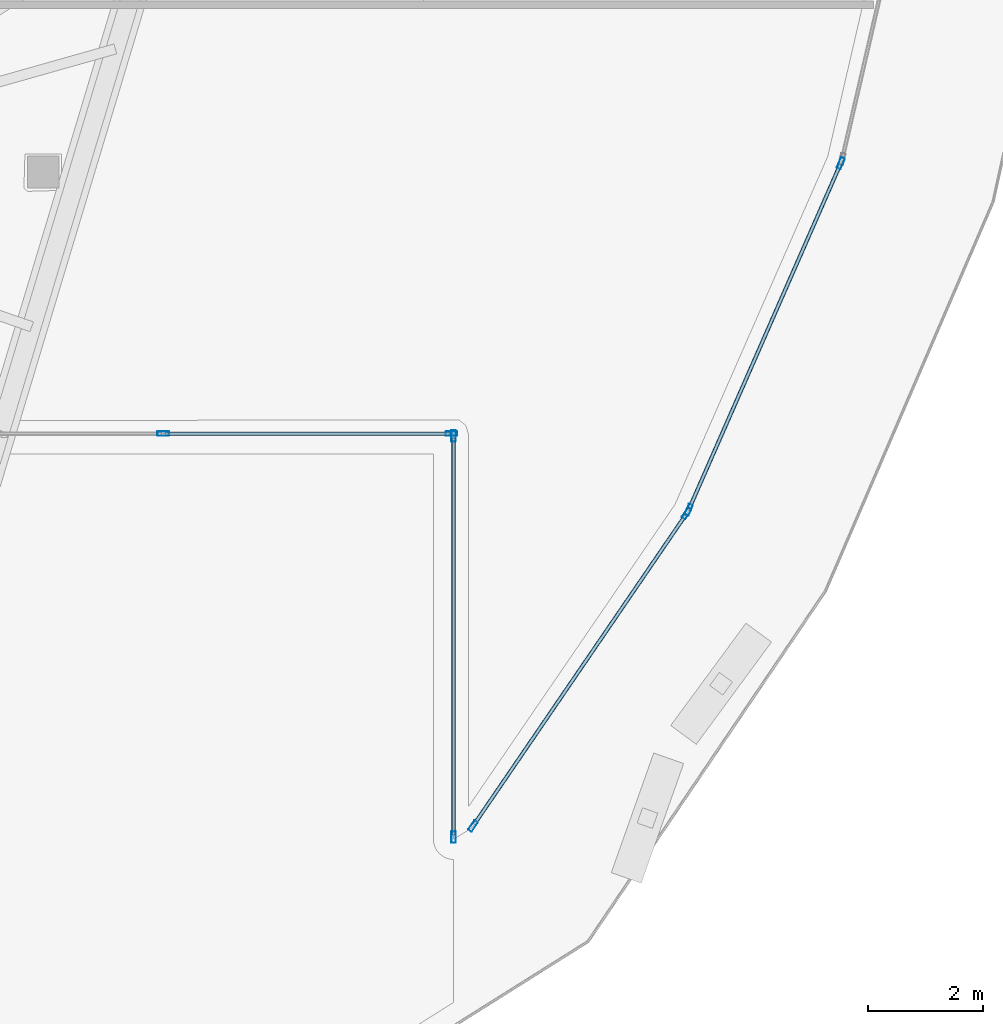
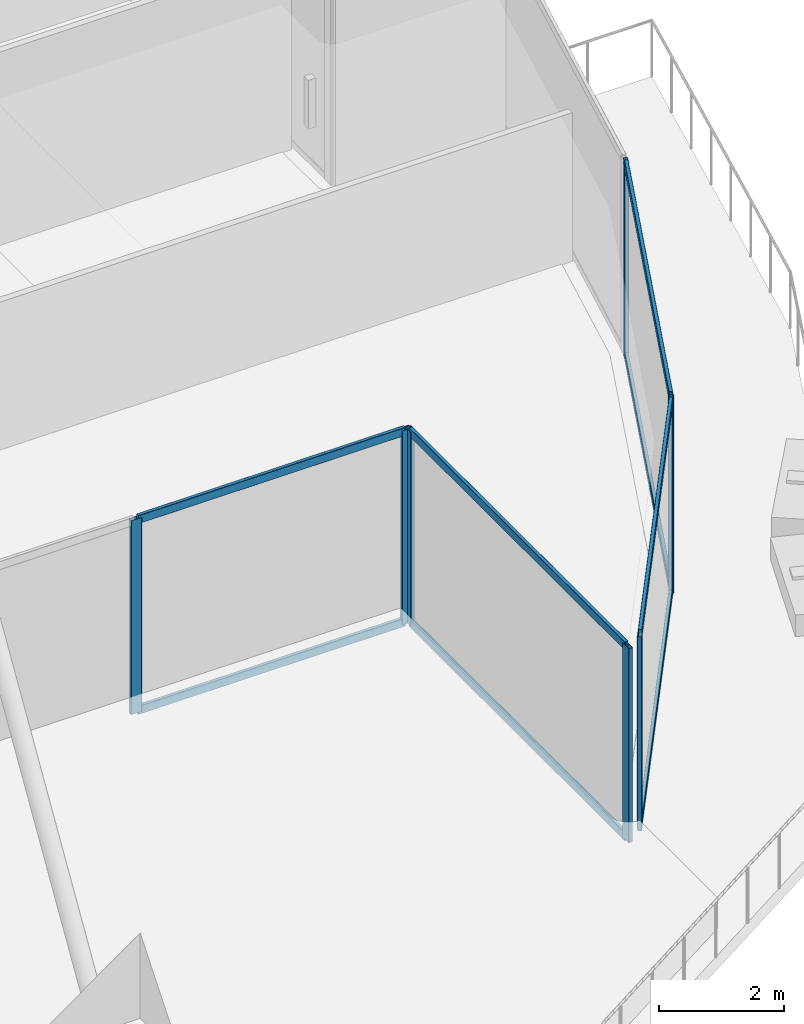
# One storey, part 13 of 43: 16 members, 4 elements without a shape of their own.
"""IFC4 building model written with IfcOpenShell, lengths in metres."""

from ifc_helpers import new_model, si_unit, direction, frame, origin, origin_2d, place, context, subcontext, project, spatial, hollow_rectangle, extrude, material, layer, layer_set, material_profile, profile_set, type_object, element, aggregate, save


model = new_model("IFC4")

# Units and contexts
model_context = context("Model", 3, precision=1e-05, world=origin(), true_north=direction((0.0, 1.0)))
body_context = subcontext(model_context, "Body", "Model", "MODEL_VIEW")
ifc_project = project(units=[si_unit("LENGTHUNIT", "METRE"), si_unit("AREAUNIT", "SQUARE_METRE"), si_unit("VOLUMEUNIT", "CUBIC_METRE"), si_unit("PLANEANGLEUNIT", "RADIAN"), si_unit("MASSUNIT", "GRAM", prefix="KILO")], contexts=[model_context])

# Site, building, storey
site_placement = place(None, origin())
site = spatial("IfcSite", under=ifc_project, at=site_placement, CompositionType="ELEMENT")
building_placement = place(site_placement, origin())
building = spatial("IfcBuilding", under=site, at=building_placement, Name="Qorvath Tower", CompositionType="ELEMENT")
storey_placement = place(building_placement, frame((0.0, 0.0, 150.300048828125)))
storey = spatial("IfcBuildingStorey", under=building, at=storey_placement, Name="L34", CompositionType="ELEMENT", Elevation=150.300048828125)

# Curtain wall, members
ifc_material_1 = material(Name="Anodised aluminium and triple low-E glass", Category="aluminium")
ifc_layer = layer(ifc_material_1, 0.179931640625)
ifc_layer_set = layer_set([ifc_layer], Name="CW-SYS-5")
curtain_wall_type = type_object("IfcCurtainWallType", Name="CW-SYS-5", PredefinedType="NOTDEFINED", material=ifc_layer_set)
curtain_wall_1_placement = place(storey_placement, origin())
curtain_wall_1 = element("IfcCurtainWall", 1, at=curtain_wall_1_placement, inside=storey, type_object=curtain_wall_type, Name="Curtain Wall CW-5 CW-T-L34-2.1", PredefinedType="NOTDEFINED")
ifc_material_2 = material(Name="Anodised aluminium 6063-T6", Category="aluminium")
ifc_material_profile_1 = material_profile(ifc_material_2, hollow_rectangle(XDim=0.074951171875, YDim=0.199951171875, WallThickness=0.00390625, InnerFilletRadius=0.00390625, OuterFilletRadius=0.008056640625, at=origin_2d()), Name="CWM 200x75")
ifc_profile_set_1 = profile_set([ifc_material_profile_1], Name="Anodised aluminium 6063-T6")
member_type_1 = type_object("IfcMemberType", Name="CWM-200", PredefinedType="MULLION", material=ifc_profile_set_1)
member_1_placement = place(storey_placement, frame((-9.719970703125, -15.98388671875, 0.0), z_axis=(0.0, 0.0, 1.0), x_axis=(0.0, 1.0, 0.0)))
member_1 = element("IfcMember", 2, at=member_1_placement, type_object=member_type_1, Name="CW-5 mullion 3", PredefinedType="MULLION", context=body_context, shape_type="SweptSolid", body=[
    extrude(hollow_rectangle(XDim=0.074951171875, YDim=0.199951171875, WallThickness=0.00390625, InnerFilletRadius=0.00390625, OuterFilletRadius=0.008056640625, at=origin_2d()), origin(), (0.0, 0.0, 1.0), 3.780029296875),
])
member_2_placement = place(storey_placement, frame((-4.7255859375, -15.98388671875, 0.0), z_axis=(0.0, 0.0, 1.0), x_axis=(0.0, 1.0, 0.0)))
member_2 = element("IfcMember", 3, at=member_2_placement, type_object=member_type_1, Name="CW-5 mullion 4", PredefinedType="MULLION", context=body_context, shape_type="SweptSolid", body=[
    extrude(hollow_rectangle(XDim=0.074951171875, YDim=0.199951171875, WallThickness=0.00390625, InnerFilletRadius=0.00390625, OuterFilletRadius=0.008056640625, at=origin_2d()), origin(), (0.0, 0.0, 1.0), 3.780029296875),
])

curtain_wall_2_placement = place(storey_placement, origin())
curtain_wall_2 = element("IfcCurtainWall", 4, at=curtain_wall_2_placement, inside=storey, type_object=curtain_wall_type, Name="Curtain Wall CW-5 CW-T-L34-3.1", PredefinedType="NOTDEFINED")
member_3_placement = place(storey_placement, frame((-4.68798828125, -16.021484375, 0.0), z_axis=(0.0, 0.0, 1.0), x_axis=(1.0, 0.0, 0.0)))
member_3 = element("IfcMember", 5, at=member_3_placement, type_object=member_type_1, Name="CW-5 mullion 1", PredefinedType="MULLION", context=body_context, shape_type="SweptSolid", body=[
    extrude(hollow_rectangle(XDim=0.074951171875, YDim=0.199951171875, WallThickness=0.00390625, InnerFilletRadius=0.00390625, OuterFilletRadius=0.008056640625, at=origin_2d()), origin(), (0.0, 0.0, 1.0), 3.780029296875),
])
member_4_placement = place(storey_placement, frame((-4.68798828125, -22.976318359375, 0.0), z_axis=(0.0, 0.0, 1.0), x_axis=(1.0, 0.0, 0.0)))
member_4 = element("IfcMember", 6, at=member_4_placement, type_object=member_type_1, Name="CW-5 mullion 2", PredefinedType="MULLION", context=body_context, shape_type="SweptSolid", body=[
    extrude(hollow_rectangle(XDim=0.074951171875, YDim=0.199951171875, WallThickness=0.00390625, InnerFilletRadius=0.00390625, OuterFilletRadius=0.008056640625, at=origin_2d()), origin(), (0.0, 0.0, 1.0), 3.780029296875),
])

curtain_wall_3_placement = place(storey_placement, origin())
curtain_wall_3 = element("IfcCurtainWall", 7, at=curtain_wall_3_placement, inside=storey, type_object=curtain_wall_type, Name="Curtain Wall CW-5 CW-T-L34-5.1", PredefinedType="NOTDEFINED")
member_5_placement = place(storey_placement, frame((-4.35205078125, -22.786376953125, 0.0), z_axis=(0.0, 0.0, 1.0), x_axis=(-0.825580649528, 0.564284140416, 0.0)))
member_5 = element("IfcMember", 8, at=member_5_placement, type_object=member_type_1, Name="CW-5 mullion 1", PredefinedType="MULLION", context=body_context, shape_type="SweptSolid", body=[
    extrude(hollow_rectangle(XDim=0.074951171875, YDim=0.199951171875, WallThickness=0.00390625, InnerFilletRadius=0.00390625, OuterFilletRadius=0.008056640625, at=origin_2d()), origin(), (0.0, 0.0, 1.0), 3.780029296875),
])
member_6_placement = place(storey_placement, frame((-0.6494140625, -17.369140625, 0.0), z_axis=(0.0, 0.0, 1.0), x_axis=(-0.825580649528, 0.564284140416, 0.0)))
member_6 = element("IfcMember", 9, at=member_6_placement, type_object=member_type_1, Name="CW-5 mullion 2", PredefinedType="MULLION", context=body_context, shape_type="SweptSolid", body=[
    extrude(hollow_rectangle(XDim=0.074951171875, YDim=0.199951171875, WallThickness=0.00390625, InnerFilletRadius=0.00390625, OuterFilletRadius=0.008056640625, at=origin_2d()), origin(), (0.0, 0.0, 1.0), 3.780029296875),
])

curtain_wall_4_placement = place(storey_placement, origin())
curtain_wall_4 = element("IfcCurtainWall", 10, at=curtain_wall_4_placement, inside=storey, type_object=curtain_wall_type, Name="Curtain Wall CW-5 CW-T-L34-6.1", PredefinedType="NOTDEFINED")
member_7_placement = place(storey_placement, frame((-0.613037109375, -17.3037109375, 0.0), z_axis=(0.0, 0.0, 1.0), x_axis=(-0.91568257839, 0.401902246365, 0.0)))
member_7 = element("IfcMember", 11, at=member_7_placement, type_object=member_type_1, Name="CW-5 mullion 1", PredefinedType="MULLION", context=body_context, shape_type="SweptSolid", body=[
    extrude(hollow_rectangle(XDim=0.074951171875, YDim=0.199951171875, WallThickness=0.00390625, InnerFilletRadius=0.00390625, OuterFilletRadius=0.008056640625, at=origin_2d()), origin(), (0.0, 0.0, 1.0), 3.780029296875),
])
member_8_placement = place(storey_placement, frame((2.02392578125, -11.29541015625, 0.0), z_axis=(0.0, 0.0, 1.0), x_axis=(-0.91568257839, 0.401902246365, 0.0)))
member_8 = element("IfcMember", 12, at=member_8_placement, type_object=member_type_1, Name="CW-5 mullion 2", PredefinedType="MULLION", context=body_context, shape_type="SweptSolid", body=[
    extrude(hollow_rectangle(XDim=0.074951171875, YDim=0.199951171875, WallThickness=0.00390625, InnerFilletRadius=0.00390625, OuterFilletRadius=0.008056640625, at=origin_2d()), origin(), (0.0, 0.0, 1.0), 3.780029296875),
])

# Member
ifc_material_3 = material(Name="Anodised aluminium 6063-T6", Category="aluminium")
ifc_material_profile_2 = material_profile(ifc_material_3, hollow_rectangle(XDim=0.06494140625, YDim=0.159912109375, WallThickness=0.00341796875, InnerFilletRadius=0.00341796875, OuterFilletRadius=0.007080078125, at=origin_2d()), Name="CWT 160x65")
ifc_profile_set_2 = profile_set([ifc_material_profile_2], Name="Anodised aluminium 6063-T6")
member_type_2 = type_object("IfcMemberType", Name="CWT-160", PredefinedType="USERDEFINED", material=ifc_profile_set_2)
member_9_placement = place(storey_placement, frame((-9.682373046875, -15.98388671875, 0.032470703125), z_axis=(1.0, 0.0, 0.0), x_axis=(0.0, 1.0, 0.0)))
member_9 = element("IfcMember", 13, at=member_9_placement, type_object=member_type_2, Name="CW-5 transom 3.1", ObjectType="TRANSOM", PredefinedType="USERDEFINED", context=body_context, shape_type="SweptSolid", body=[
    extrude(hollow_rectangle(XDim=0.06494140625, YDim=0.159912109375, WallThickness=0.00341796875, InnerFilletRadius=0.00341796875, OuterFilletRadius=0.007080078125, at=origin_2d()), origin(), (0.0, 0.0, 1.0), 4.91943359375),
])

member_10_placement = place(storey_placement, frame((-9.682373046875, -15.98388671875, 3.74755859375), z_axis=(1.0, 0.0, 0.0), x_axis=(0.0, 1.0, 0.0)))
member_10 = element("IfcMember", 14, at=member_10_placement, type_object=member_type_2, Name="CW-5 transom 3.2", ObjectType="TRANSOM", PredefinedType="USERDEFINED", context=body_context, shape_type="SweptSolid", body=[
    extrude(hollow_rectangle(XDim=0.06494140625, YDim=0.159912109375, WallThickness=0.00341796875, InnerFilletRadius=0.00341796875, OuterFilletRadius=0.007080078125, at=origin_2d()), origin(), (0.0, 0.0, 1.0), 4.91943359375),
])

aggregate(curtain_wall_1, [member_1, member_2, member_9, member_10])

member_11_placement = place(storey_placement, frame((-4.68798828125, -16.058837890625, 0.032470703125), z_axis=(0.0, -1.0, 0.0), x_axis=(1.0, 0.0, 0.0)))
member_11 = element("IfcMember", 15, at=member_11_placement, type_object=member_type_2, Name="CW-5 transom 1.1", ObjectType="TRANSOM", PredefinedType="USERDEFINED", context=body_context, shape_type="SweptSolid", body=[
    extrude(hollow_rectangle(XDim=0.06494140625, YDim=0.159912109375, WallThickness=0.00341796875, InnerFilletRadius=0.00341796875, OuterFilletRadius=0.007080078125, at=origin_2d()), origin(), (0.0, 0.0, 1.0), 6.8798828125),
])

member_12_placement = place(storey_placement, frame((-4.68798828125, -16.058837890625, 3.74755859375), z_axis=(0.0, -1.0, 0.0), x_axis=(1.0, 0.0, 0.0)))
member_12 = element("IfcMember", 16, at=member_12_placement, type_object=member_type_2, Name="CW-5 transom 1.2", ObjectType="TRANSOM", PredefinedType="USERDEFINED", context=body_context, shape_type="SweptSolid", body=[
    extrude(hollow_rectangle(XDim=0.06494140625, YDim=0.159912109375, WallThickness=0.00341796875, InnerFilletRadius=0.00341796875, OuterFilletRadius=0.007080078125, at=origin_2d()), origin(), (0.0, 0.0, 1.0), 6.8798828125),
])

aggregate(curtain_wall_2, [member_3, member_4, member_11, member_12])

member_13_placement = place(storey_placement, frame((-4.3310546875, -22.75537109375, 0.032470703125), z_axis=(0.564303384212, 0.82556749607, 0.0), x_axis=(-0.82556749607, 0.564303384212, 0.0)))
member_13 = element("IfcMember", 17, at=member_13_placement, type_object=member_type_2, Name="CW-5 transom 1.1", ObjectType="TRANSOM", PredefinedType="USERDEFINED", context=body_context, shape_type="SweptSolid", body=[
    extrude(hollow_rectangle(XDim=0.06494140625, YDim=0.159912109375, WallThickness=0.00341796875, InnerFilletRadius=0.00341796875, OuterFilletRadius=0.007080078125, at=origin_2d()), origin(), (0.0, 0.0, 1.0), 6.487060546875),
])

member_14_placement = place(storey_placement, frame((-4.3310546875, -22.75537109375, 3.74755859375), z_axis=(0.564303384212, 0.82556749607, 0.0), x_axis=(-0.82556749607, 0.564303384212, 0.0)))
member_14 = element("IfcMember", 18, at=member_14_placement, type_object=member_type_2, Name="CW-5 transom 1.2", ObjectType="TRANSOM", PredefinedType="USERDEFINED", context=body_context, shape_type="SweptSolid", body=[
    extrude(hollow_rectangle(XDim=0.06494140625, YDim=0.159912109375, WallThickness=0.00341796875, InnerFilletRadius=0.00341796875, OuterFilletRadius=0.007080078125, at=origin_2d()), origin(), (0.0, 0.0, 1.0), 6.487060546875),
])

aggregate(curtain_wall_3, [member_5, member_6, member_13, member_14])

member_15_placement = place(storey_placement, frame((-0.59814453125, -17.26953125, 0.032470703125), z_axis=(0.401912330062, 0.915678152488, 0.0), x_axis=(-0.915678152488, 0.401912330062, 0.0)))
member_15 = element("IfcMember", 19, at=member_15_placement, type_object=member_type_2, Name="CW-5 transom 1.1", ObjectType="TRANSOM", PredefinedType="USERDEFINED", context=body_context, shape_type="SweptSolid", body=[
    extrude(hollow_rectangle(XDim=0.06494140625, YDim=0.159912109375, WallThickness=0.00341796875, InnerFilletRadius=0.00341796875, OuterFilletRadius=0.007080078125, at=origin_2d()), origin(), (0.0, 0.0, 1.0), 6.48681640625),
])

member_16_placement = place(storey_placement, frame((-0.59814453125, -17.26953125, 3.74755859375), z_axis=(0.401912330062, 0.915678152488, 0.0), x_axis=(-0.915678152488, 0.401912330062, 0.0)))
member_16 = element("IfcMember", 20, at=member_16_placement, type_object=member_type_2, Name="CW-5 transom 1.2", ObjectType="TRANSOM", PredefinedType="USERDEFINED", context=body_context, shape_type="SweptSolid", body=[
    extrude(hollow_rectangle(XDim=0.06494140625, YDim=0.159912109375, WallThickness=0.00341796875, InnerFilletRadius=0.00341796875, OuterFilletRadius=0.007080078125, at=origin_2d()), origin(), (0.0, 0.0, 1.0), 6.48681640625),
])

aggregate(curtain_wall_4, [member_7, member_8, member_15, member_16])

save(model, "model.ifc")
